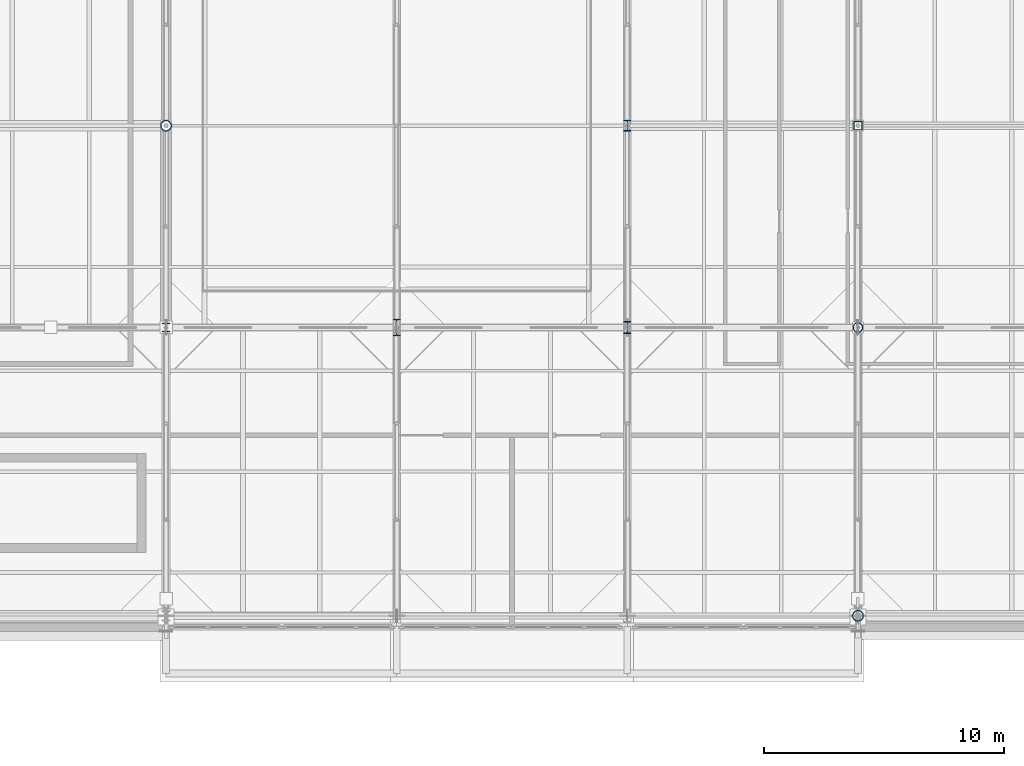
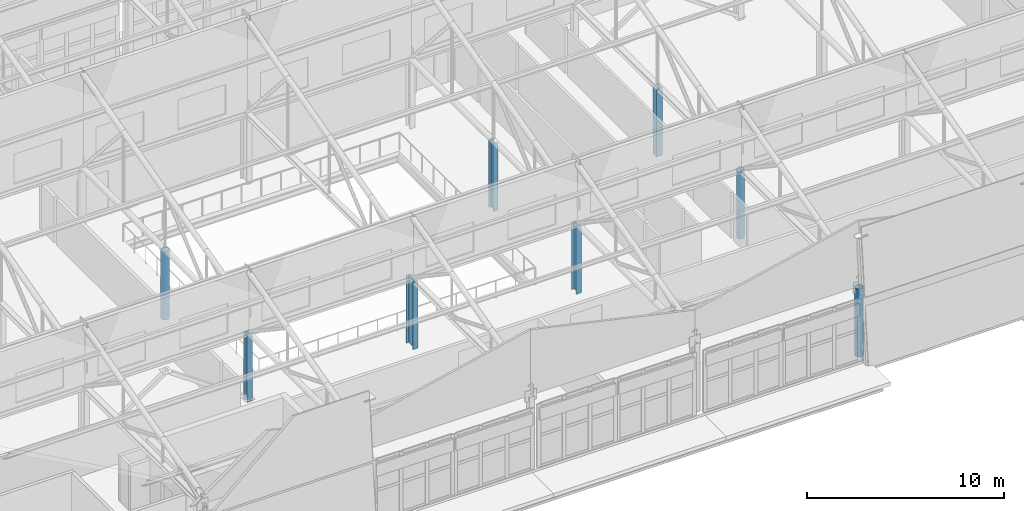
# One storey, part 3 of 89: 8 columns.
"""IFC4 building model written with IfcOpenShell, lengths in metres."""

from ifc_helpers import new_model, si_unit, direction, frame, origin, origin_2d, place, context, subcontext, project, spatial, hollow_rectangle, hollow_circle, i_section, extrude, material, material_profile, profile_set, type_object, element, save


model = new_model("IFC4")

# Units and contexts
model_context = context("Model", 3, precision=1e-05, world=origin(), true_north=direction((0.0, 1.0)))
body_context = subcontext(model_context, "Body", "Model", "MODEL_VIEW")
ifc_project = project(units=[si_unit("LENGTHUNIT", "METRE"), si_unit("AREAUNIT", "SQUARE_METRE"), si_unit("VOLUMEUNIT", "CUBIC_METRE"), si_unit("PLANEANGLEUNIT", "RADIAN"), si_unit("MASSUNIT", "GRAM", prefix="KILO")], contexts=[model_context])

# Site, building, storey
site_placement = place(None, origin())
site = spatial("IfcSite", under=ifc_project, at=site_placement, CompositionType="ELEMENT")
building_placement = place(site_placement, origin())
building = spatial("IfcBuilding", under=site, at=building_placement, Name="Zereglee Splitstone Museum", CompositionType="ELEMENT")
storey_placement = place(building_placement, frame((0.0, 0.0, 21.300048828125)))
storey = spatial("IfcBuildingStorey", under=building, at=storey_placement, Name="L04", CompositionType="ELEMENT", Elevation=21.300048828125)

# Columns
ifc_material_1 = material(Name="Steel S355J2H", Category="steel")
ifc_material_profile_1 = material_profile(ifc_material_1, hollow_circle(Radius=0.203125, WallThickness=0.02001953125, at=origin_2d()), Name="CHS 406.4x20")
ifc_profile_set_1 = profile_set([ifc_material_profile_1], Name="Steel S355J2H")
column_type_1 = type_object("IfcColumnType", Name="C-18", PredefinedType="COLUMN", material=ifc_profile_set_1)
column_1_placement = place(storey_placement, frame((126.0, 21.60009765625, 0.0), z_axis=(0.0, 0.0, 1.0), x_axis=(1.0, 0.0, 0.0)))
element("IfcColumn", 1, at=column_1_placement, inside=storey, type_object=column_type_1, Name="Column 15/C L04", PredefinedType="COLUMN", context=body_context, shape_type="SweptSolid", body=[
    extrude(hollow_circle(Radius=0.203125, WallThickness=0.02001953125, at=origin_2d()), origin(), (0.0, 0.0, 1.0), 4.199951171875),
])
ifc_material_profile_2 = material_profile(ifc_material_1, hollow_circle(Radius=0.228515625, WallThickness=0.02001953125, at=origin_2d()), Name="CHS 457.0x20")
ifc_profile_set_2 = profile_set([ifc_material_profile_2], Name="Steel S355J2H")
column_type_2 = type_object("IfcColumnType", Name="C-17", PredefinedType="COLUMN", material=ifc_profile_set_2)
for number, where, z_axis, x_axis, name in (
    (2, (97.199951171875, 30.0, 0.0), (0.0, 0.0, 1.0), (1.0, 0.0, 0.0), "Column 12/D L04"),
    (3, (126.0, 9.60009765625, 0.0), (0.0, 0.0, 1.0), (1.0, 0.0, 0.0), "Column 15/B L04"),
):
    element("IfcColumn", number, at=place(storey_placement, frame(where, z_axis=z_axis, x_axis=x_axis)), inside=storey, type_object=column_type_2, Name=name, PredefinedType="COLUMN", context=body_context, shape_type="SweptSolid", body=[
        extrude(hollow_circle(Radius=0.228515625, WallThickness=0.02001953125, at=origin_2d()), origin(), (0.0, 0.0, 1.0), 4.199951171875),
    ])
ifc_material_2 = material(Name="Steel S355J2", Category="steel")
ifc_material_profile_3 = material_profile(ifc_material_2, i_section(OverallWidth=0.300048828125, OverallDepth=0.360107421875, WebThickness=0.012451171875, FlangeThickness=0.0224609375, FilletRadius=0.027099609375, at=origin_2d()), Name="HE 360 B")
ifc_profile_set_3 = profile_set([ifc_material_profile_3], Name="Steel S355J2")
column_type_3 = type_object("IfcColumnType", Name="C-16", PredefinedType="COLUMN", material=ifc_profile_set_3)
column_2_placement = place(storey_placement, frame((97.199951171875, 21.60009765625, 0.0), z_axis=(0.0, 0.0, 1.0), x_axis=(1.0, 0.0, 0.0)))
element("IfcColumn", 4, at=column_2_placement, inside=storey, type_object=column_type_3, Name="Column 12/C L04", PredefinedType="COLUMN", context=body_context, shape_type="SweptSolid", body=[
    extrude(i_section(OverallWidth=0.300048828125, OverallDepth=0.360107421875, WebThickness=0.012451171875, FlangeThickness=0.0224609375, FilletRadius=0.027099609375, at=origin_2d()), origin(), (0.0, 0.0, 1.0), 4.199951171875),
])
ifc_material_profile_4 = material_profile(ifc_material_2, i_section(OverallWidth=0.300048828125, OverallDepth=0.449951171875, WebThickness=0.013916015625, FlangeThickness=0.02587890625, FilletRadius=0.027099609375, at=origin_2d()), Name="HE 450 B")
ifc_profile_set_4 = profile_set([ifc_material_profile_4], Name="Steel S355J2")
column_type_4 = type_object("IfcColumnType", Name="C-14", PredefinedType="COLUMN", material=ifc_profile_set_4)
column_3_placement = place(storey_placement, frame((116.39990234375, 30.0, 0.0), z_axis=(0.0, 0.0, 1.0), x_axis=(1.0, 0.0, 0.0)))
element("IfcColumn", 5, at=column_3_placement, inside=storey, type_object=column_type_4, Name="Column 14/D L04", PredefinedType="COLUMN", context=body_context, shape_type="SweptSolid", body=[
    extrude(i_section(OverallWidth=0.300048828125, OverallDepth=0.449951171875, WebThickness=0.013916015625, FlangeThickness=0.02587890625, FilletRadius=0.027099609375, at=origin_2d()), origin(), (0.0, 0.0, 1.0), 4.199951171875),
])
ifc_material_profile_5 = material_profile(ifc_material_2, i_section(OverallWidth=0.300048828125, OverallDepth=0.5, WebThickness=0.014404296875, FlangeThickness=0.028076171875, FilletRadius=0.027099609375, at=origin_2d()), Name="HE 500 B")
ifc_profile_set_5 = profile_set([ifc_material_profile_5], Name="Steel S355J2")
column_type_5 = type_object("IfcColumnType", Name="C-13", PredefinedType="COLUMN", material=ifc_profile_set_5)
column_4_placement = place(storey_placement, frame((116.39990234375, 21.60009765625, 0.0), z_axis=(0.0, 0.0, 1.0), x_axis=(1.0, 0.0, 0.0)))
element("IfcColumn", 6, at=column_4_placement, inside=storey, type_object=column_type_5, Name="Column 14/C L04", PredefinedType="COLUMN", context=body_context, shape_type="SweptSolid", body=[
    extrude(i_section(OverallWidth=0.300048828125, OverallDepth=0.5, WebThickness=0.014404296875, FlangeThickness=0.028076171875, FilletRadius=0.027099609375, at=origin_2d()), origin(), (0.0, 0.0, 1.0), 4.199951171875),
])
ifc_material_profile_6 = material_profile(ifc_material_2, i_section(OverallWidth=0.300048828125, OverallDepth=0.699951171875, WebThickness=0.01708984375, FlangeThickness=0.031982421875, FilletRadius=0.027099609375, at=origin_2d()), Name="HE 700 B")
ifc_profile_set_6 = profile_set([ifc_material_profile_6], Name="Steel S355J2")
column_type_6 = type_object("IfcColumnType", Name="C-09", PredefinedType="COLUMN", material=ifc_profile_set_6)
column_5_placement = place(storey_placement, frame((106.800048828125, 21.60009765625, 0.0), z_axis=(0.0, 0.0, 1.0), x_axis=(1.0, 0.0, 0.0)))
element("IfcColumn", 7, at=column_5_placement, inside=storey, type_object=column_type_6, Name="Column 13/C L04", PredefinedType="COLUMN", context=body_context, shape_type="SweptSolid", body=[
    extrude(i_section(OverallWidth=0.300048828125, OverallDepth=0.699951171875, WebThickness=0.01708984375, FlangeThickness=0.031982421875, FilletRadius=0.027099609375, at=origin_2d()), origin(), (0.0, 0.0, 1.0), 4.199951171875),
])
ifc_material_profile_7 = material_profile(ifc_material_1, hollow_rectangle(XDim=0.35009765625, YDim=0.35009765625, WallThickness=0.01611328125, at=origin_2d()), Name="SHS 350x350x16")
ifc_profile_set_7 = profile_set([ifc_material_profile_7], Name="Steel S355J2H")
column_type_7 = type_object("IfcColumnType", Name="C-19", PredefinedType="COLUMN", material=ifc_profile_set_7)
column_6_placement = place(storey_placement, frame((126.0, 30.0, 0.0), z_axis=(0.0, 0.0, 1.0), x_axis=(1.0, 0.0, 0.0)))
element("IfcColumn", 8, at=column_6_placement, inside=storey, type_object=column_type_7, Name="Column 15/D L04", PredefinedType="COLUMN", context=body_context, shape_type="SweptSolid", body=[
    extrude(hollow_rectangle(XDim=0.35009765625, YDim=0.35009765625, WallThickness=0.01611328125, at=origin_2d()), origin(), (0.0, 0.0, 1.0), 4.199951171875),
])

save(model, "model.ifc")
